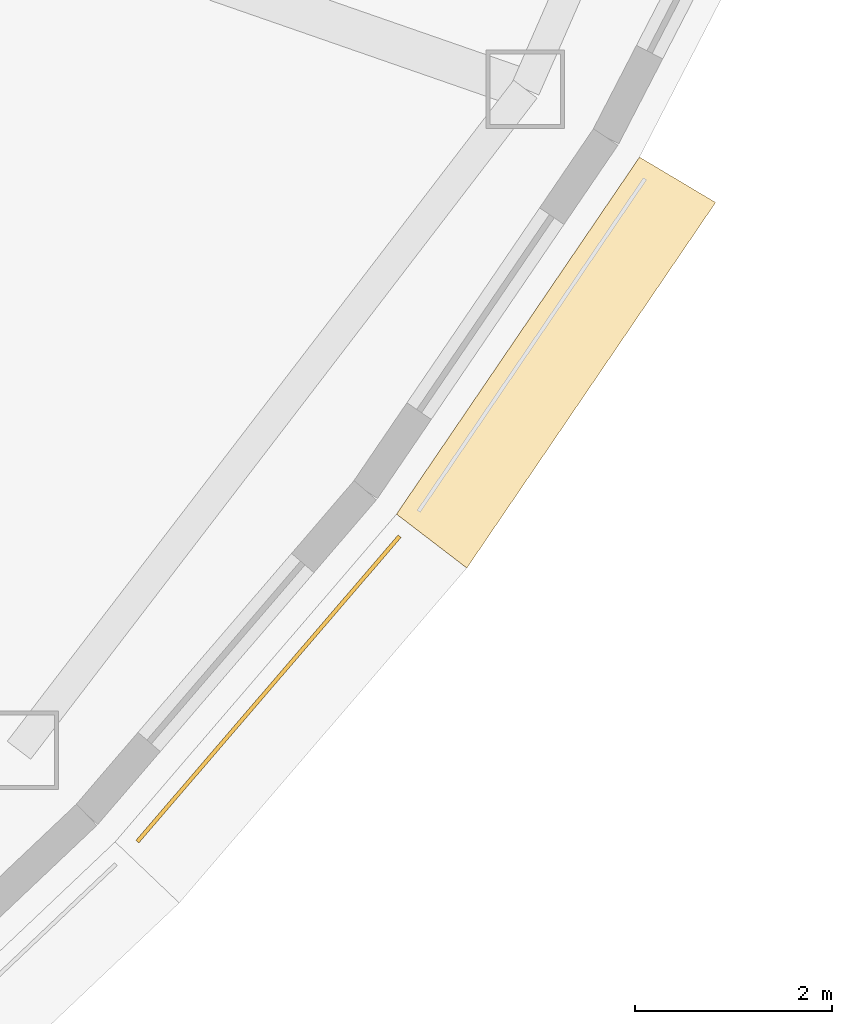
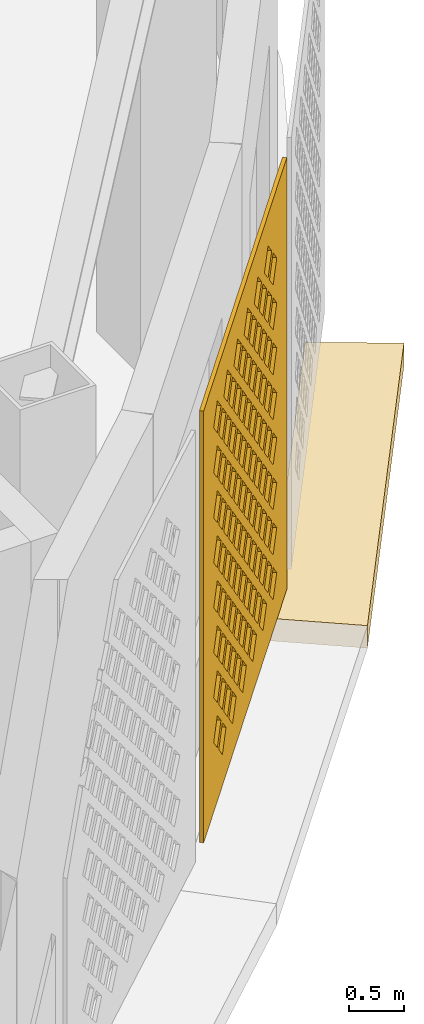
# One storey, part 66 of 69: 2 coverings.
"""IFC4 building model written with IfcOpenShell, lengths in metres."""

from ifc_helpers import new_model, si_unit, direction, frame, origin, place, context, subcontext, project, spatial, polyline, outline, extrude, material, layer, layer_set, type_object, element, save


model = new_model("IFC4")

# Units and contexts
model_context = context("Model", 3, precision=1e-05, world=origin(), true_north=direction((0.0, 1.0)))
body_context = subcontext(model_context, "Body", "Model", "MODEL_VIEW")
ifc_project = project(units=[si_unit("LENGTHUNIT", "METRE"), si_unit("AREAUNIT", "SQUARE_METRE"), si_unit("VOLUMEUNIT", "CUBIC_METRE"), si_unit("PLANEANGLEUNIT", "RADIAN"), si_unit("MASSUNIT", "GRAM", prefix="KILO")], contexts=[model_context])

# Site, building, storey
site_placement = place(None, origin())
site = spatial("IfcSite", under=ifc_project, at=site_placement, CompositionType="ELEMENT")
building_placement = place(site_placement, origin())
building = spatial("IfcBuilding", under=site, at=building_placement, Name="Noorbagh Ring Tower", CompositionType="ELEMENT")
storey_placement = place(building_placement, frame((0.0, 0.0, 19.5)))
storey = spatial("IfcBuildingStorey", under=building, at=storey_placement, Name="L03", CompositionType="ELEMENT", Elevation=19.5)

# Coverings
ifc_material_1 = material(Name="Red sandstone eave", Category="masonry")
covering_type_1 = type_object("IfcCoveringType", Name="STY-CHHAJJA", PredefinedType="USERDEFINED", material=ifc_material_1)
covering_1_placement = place(storey_placement, frame((0.0, 0.0, -0.25)))
element("IfcCovering", 1, at=covering_1_placement, inside=storey, type_object=covering_type_1, Name="Chhajja eave", ObjectType="CHHAJJA", PredefinedType="USERDEFINED", context=body_context, shape_type="SweptSolid", body=[
    extrude(outline(polyline([(44.77001953125, -20.346923828125), (47.2431640625, -16.71337890625), (48.017578125, -17.175048828125), (45.485595703125, -20.89501953125), (44.77001953125, -20.346923828125)])), origin(), (0.0, 0.0, 1.0), 0.25),
])
ifc_material_2 = material(Name="Red sandstone jali", Category="masonry")
ifc_layer = layer(ifc_material_2, 0.0400390625)
ifc_layer_set = layer_set([ifc_layer], Name="Red sandstone jali")
covering_type_2 = type_object("IfcCoveringType", Name="STY-JALI", PredefinedType="USERDEFINED", material=ifc_layer_set)
covering_2_placement = place(storey_placement, frame((42.1484375, -23.692138671875, 0.449951171875), z_axis=(0.758717747284, -0.651419511495, 0.0), x_axis=(0.651419511495, 0.758717747284, 0.0)))
element("IfcCovering", 2, at=covering_2_placement, inside=storey, type_object=covering_type_2, Name="Jali screen", ObjectType="SCREEN", PredefinedType="USERDEFINED", context=body_context, shape_type="SweptSolid", body=[
    extrude(outline(polyline([(0.0, 0.0), (4.095703125, 0.0), (4.095703125, 4.800048828125), (0.0, 4.800048828125), (0.0, 0.0)]), holes=[polyline([(0.742919921875, 0.52490234375), (0.9228515625, 0.344970703125), (1.102783203125, 0.52490234375), (0.9228515625, 0.705078125), (0.742919921875, 0.52490234375)]), polyline([(1.242919921875, 0.52490234375), (1.4228515625, 0.344970703125), (1.602783203125, 0.52490234375), (1.4228515625, 0.705078125), (1.242919921875, 0.52490234375)]), polyline([(1.742919921875, 0.52490234375), (1.9228515625, 0.344970703125), (2.102783203125, 0.52490234375), (1.9228515625, 0.705078125), (1.742919921875, 0.52490234375)]), polyline([(2.242919921875, 0.52490234375), (2.4228515625, 0.344970703125), (2.602783203125, 0.52490234375), (2.4228515625, 0.705078125), (2.242919921875, 0.52490234375)]), polyline([(2.742919921875, 0.52490234375), (2.9228515625, 0.344970703125), (3.102783203125, 0.52490234375), (2.9228515625, 0.705078125), (2.742919921875, 0.52490234375)]), polyline([(3.242919921875, 0.52490234375), (3.4228515625, 0.344970703125), (3.602783203125, 0.52490234375), (3.4228515625, 0.705078125), (3.242919921875, 0.52490234375)]), polyline([(0.492919921875, 0.77490234375), (0.6728515625, 0.594970703125), (0.852783203125, 0.77490234375), (0.6728515625, 0.955078125), (0.492919921875, 0.77490234375)]), polyline([(0.992919921875, 0.77490234375), (1.1728515625, 0.594970703125), (1.352783203125, 0.77490234375), (1.1728515625, 0.955078125), (0.992919921875, 0.77490234375)]), polyline([(1.492919921875, 0.77490234375), (1.6728515625, 0.594970703125), (1.852783203125, 0.77490234375), (1.6728515625, 0.955078125), (1.492919921875, 0.77490234375)]), polyline([(1.992919921875, 0.77490234375), (2.1728515625, 0.594970703125), (2.352783203125, 0.77490234375), (2.1728515625, 0.955078125), (1.992919921875, 0.77490234375)]), polyline([(2.492919921875, 0.77490234375), (2.6728515625, 0.594970703125), (2.852783203125, 0.77490234375), (2.6728515625, 0.955078125), (2.492919921875, 0.77490234375)]), polyline([(2.992919921875, 0.77490234375), (3.1728515625, 0.594970703125), (3.352783203125, 0.77490234375), (3.1728515625, 0.955078125), (2.992919921875, 0.77490234375)]), polyline([(0.742919921875, 1.02490234375), (0.9228515625, 0.844970703125), (1.102783203125, 1.02490234375), (0.9228515625, 1.205078125), (0.742919921875, 1.02490234375)]), polyline([(1.242919921875, 1.02490234375), (1.4228515625, 0.844970703125), (1.602783203125, 1.02490234375), (1.4228515625, 1.205078125), (1.242919921875, 1.02490234375)]), polyline([(1.742919921875, 1.02490234375), (1.9228515625, 0.844970703125), (2.102783203125, 1.02490234375), (1.9228515625, 1.205078125), (1.742919921875, 1.02490234375)]), polyline([(2.242919921875, 1.02490234375), (2.4228515625, 0.844970703125), (2.602783203125, 1.02490234375), (2.4228515625, 1.205078125), (2.242919921875, 1.02490234375)]), polyline([(2.742919921875, 1.02490234375), (2.9228515625, 0.844970703125), (3.102783203125, 1.02490234375), (2.9228515625, 1.205078125), (2.742919921875, 1.02490234375)]), polyline([(3.242919921875, 1.02490234375), (3.4228515625, 0.844970703125), (3.602783203125, 1.02490234375), (3.4228515625, 1.205078125), (3.242919921875, 1.02490234375)]), polyline([(0.492919921875, 1.27490234375), (0.6728515625, 1.094970703125), (0.852783203125, 1.27490234375), (0.6728515625, 1.455078125), (0.492919921875, 1.27490234375)]), polyline([(0.992919921875, 1.27490234375), (1.1728515625, 1.094970703125), (1.352783203125, 1.27490234375), (1.1728515625, 1.455078125), (0.992919921875, 1.27490234375)]), polyline([(1.492919921875, 1.27490234375), (1.6728515625, 1.094970703125), (1.852783203125, 1.27490234375), (1.6728515625, 1.455078125), (1.492919921875, 1.27490234375)]), polyline([(1.992919921875, 1.27490234375), (2.1728515625, 1.094970703125), (2.352783203125, 1.27490234375), (2.1728515625, 1.455078125), (1.992919921875, 1.27490234375)]), polyline([(2.492919921875, 1.27490234375), (2.6728515625, 1.094970703125), (2.852783203125, 1.27490234375), (2.6728515625, 1.455078125), (2.492919921875, 1.27490234375)]), polyline([(2.992919921875, 1.27490234375), (3.1728515625, 1.094970703125), (3.352783203125, 1.27490234375), (3.1728515625, 1.455078125), (2.992919921875, 1.27490234375)]), polyline([(0.742919921875, 1.52490234375), (0.9228515625, 1.344970703125), (1.102783203125, 1.52490234375), (0.9228515625, 1.705078125), (0.742919921875, 1.52490234375)]), polyline([(1.242919921875, 1.52490234375), (1.4228515625, 1.344970703125), (1.602783203125, 1.52490234375), (1.4228515625, 1.705078125), (1.242919921875, 1.52490234375)]), polyline([(1.742919921875, 1.52490234375), (1.9228515625, 1.344970703125), (2.102783203125, 1.52490234375), (1.9228515625, 1.705078125), (1.742919921875, 1.52490234375)]), polyline([(2.242919921875, 1.52490234375), (2.4228515625, 1.344970703125), (2.602783203125, 1.52490234375), (2.4228515625, 1.705078125), (2.242919921875, 1.52490234375)]), polyline([(2.742919921875, 1.52490234375), (2.9228515625, 1.344970703125), (3.102783203125, 1.52490234375), (2.9228515625, 1.705078125), (2.742919921875, 1.52490234375)]), polyline([(3.242919921875, 1.52490234375), (3.4228515625, 1.344970703125), (3.602783203125, 1.52490234375), (3.4228515625, 1.705078125), (3.242919921875, 1.52490234375)]), polyline([(0.492919921875, 1.77490234375), (0.6728515625, 1.594970703125), (0.852783203125, 1.77490234375), (0.6728515625, 1.955078125), (0.492919921875, 1.77490234375)]), polyline([(0.992919921875, 1.77490234375), (1.1728515625, 1.594970703125), (1.352783203125, 1.77490234375), (1.1728515625, 1.955078125), (0.992919921875, 1.77490234375)]), polyline([(1.492919921875, 1.77490234375), (1.6728515625, 1.594970703125), (1.852783203125, 1.77490234375), (1.6728515625, 1.955078125), (1.492919921875, 1.77490234375)]), polyline([(1.992919921875, 1.77490234375), (2.1728515625, 1.594970703125), (2.352783203125, 1.77490234375), (2.1728515625, 1.955078125), (1.992919921875, 1.77490234375)]), polyline([(2.492919921875, 1.77490234375), (2.6728515625, 1.594970703125), (2.852783203125, 1.77490234375), (2.6728515625, 1.955078125), (2.492919921875, 1.77490234375)]), polyline([(2.992919921875, 1.77490234375), (3.1728515625, 1.594970703125), (3.352783203125, 1.77490234375), (3.1728515625, 1.955078125), (2.992919921875, 1.77490234375)]), polyline([(0.742919921875, 2.02490234375), (0.9228515625, 1.844970703125), (1.102783203125, 2.02490234375), (0.9228515625, 2.205078125), (0.742919921875, 2.02490234375)]), polyline([(1.242919921875, 2.02490234375), (1.4228515625, 1.844970703125), (1.602783203125, 2.02490234375), (1.4228515625, 2.205078125), (1.242919921875, 2.02490234375)]), polyline([(1.742919921875, 2.02490234375), (1.9228515625, 1.844970703125), (2.102783203125, 2.02490234375), (1.9228515625, 2.205078125), (1.742919921875, 2.02490234375)]), polyline([(2.242919921875, 2.02490234375), (2.4228515625, 1.844970703125), (2.602783203125, 2.02490234375), (2.4228515625, 2.205078125), (2.242919921875, 2.02490234375)]), polyline([(2.742919921875, 2.02490234375), (2.9228515625, 1.844970703125), (3.102783203125, 2.02490234375), (2.9228515625, 2.205078125), (2.742919921875, 2.02490234375)]), polyline([(3.242919921875, 2.02490234375), (3.4228515625, 1.844970703125), (3.602783203125, 2.02490234375), (3.4228515625, 2.205078125), (3.242919921875, 2.02490234375)]), polyline([(0.492919921875, 2.27490234375), (0.6728515625, 2.094970703125), (0.852783203125, 2.27490234375), (0.6728515625, 2.455078125), (0.492919921875, 2.27490234375)]), polyline([(0.992919921875, 2.27490234375), (1.1728515625, 2.094970703125), (1.352783203125, 2.27490234375), (1.1728515625, 2.455078125), (0.992919921875, 2.27490234375)]), polyline([(1.492919921875, 2.27490234375), (1.6728515625, 2.094970703125), (1.852783203125, 2.27490234375), (1.6728515625, 2.455078125), (1.492919921875, 2.27490234375)]), polyline([(1.992919921875, 2.27490234375), (2.1728515625, 2.094970703125), (2.352783203125, 2.27490234375), (2.1728515625, 2.455078125), (1.992919921875, 2.27490234375)]), polyline([(2.492919921875, 2.27490234375), (2.6728515625, 2.094970703125), (2.852783203125, 2.27490234375), (2.6728515625, 2.455078125), (2.492919921875, 2.27490234375)]), polyline([(2.992919921875, 2.27490234375), (3.1728515625, 2.094970703125), (3.352783203125, 2.27490234375), (3.1728515625, 2.455078125), (2.992919921875, 2.27490234375)]), polyline([(0.742919921875, 2.52490234375), (0.9228515625, 2.344970703125), (1.102783203125, 2.52490234375), (0.9228515625, 2.705078125), (0.742919921875, 2.52490234375)]), polyline([(1.242919921875, 2.52490234375), (1.4228515625, 2.344970703125), (1.602783203125, 2.52490234375), (1.4228515625, 2.705078125), (1.242919921875, 2.52490234375)]), polyline([(1.742919921875, 2.52490234375), (1.9228515625, 2.344970703125), (2.102783203125, 2.52490234375), (1.9228515625, 2.705078125), (1.742919921875, 2.52490234375)]), polyline([(2.242919921875, 2.52490234375), (2.4228515625, 2.344970703125), (2.602783203125, 2.52490234375), (2.4228515625, 2.705078125), (2.242919921875, 2.52490234375)]), polyline([(2.742919921875, 2.52490234375), (2.9228515625, 2.344970703125), (3.102783203125, 2.52490234375), (2.9228515625, 2.705078125), (2.742919921875, 2.52490234375)]), polyline([(3.242919921875, 2.52490234375), (3.4228515625, 2.344970703125), (3.602783203125, 2.52490234375), (3.4228515625, 2.705078125), (3.242919921875, 2.52490234375)]), polyline([(0.492919921875, 2.77490234375), (0.6728515625, 2.594970703125), (0.852783203125, 2.77490234375), (0.6728515625, 2.955078125), (0.492919921875, 2.77490234375)]), polyline([(0.992919921875, 2.77490234375), (1.1728515625, 2.594970703125), (1.352783203125, 2.77490234375), (1.1728515625, 2.955078125), (0.992919921875, 2.77490234375)]), polyline([(1.492919921875, 2.77490234375), (1.6728515625, 2.594970703125), (1.852783203125, 2.77490234375), (1.6728515625, 2.955078125), (1.492919921875, 2.77490234375)]), polyline([(1.992919921875, 2.77490234375), (2.1728515625, 2.594970703125), (2.352783203125, 2.77490234375), (2.1728515625, 2.955078125), (1.992919921875, 2.77490234375)]), polyline([(2.492919921875, 2.77490234375), (2.6728515625, 2.594970703125), (2.852783203125, 2.77490234375), (2.6728515625, 2.955078125), (2.492919921875, 2.77490234375)]), polyline([(2.992919921875, 2.77490234375), (3.1728515625, 2.594970703125), (3.352783203125, 2.77490234375), (3.1728515625, 2.955078125), (2.992919921875, 2.77490234375)]), polyline([(0.742919921875, 3.02490234375), (0.9228515625, 2.844970703125), (1.102783203125, 3.02490234375), (0.9228515625, 3.205078125), (0.742919921875, 3.02490234375)]), polyline([(1.242919921875, 3.02490234375), (1.4228515625, 2.844970703125), (1.602783203125, 3.02490234375), (1.4228515625, 3.205078125), (1.242919921875, 3.02490234375)]), polyline([(1.742919921875, 3.02490234375), (1.9228515625, 2.844970703125), (2.102783203125, 3.02490234375), (1.9228515625, 3.205078125), (1.742919921875, 3.02490234375)]), polyline([(2.242919921875, 3.02490234375), (2.4228515625, 2.844970703125), (2.602783203125, 3.02490234375), (2.4228515625, 3.205078125), (2.242919921875, 3.02490234375)]), polyline([(2.742919921875, 3.02490234375), (2.9228515625, 2.844970703125), (3.102783203125, 3.02490234375), (2.9228515625, 3.205078125), (2.742919921875, 3.02490234375)]), polyline([(3.242919921875, 3.02490234375), (3.4228515625, 2.844970703125), (3.602783203125, 3.02490234375), (3.4228515625, 3.205078125), (3.242919921875, 3.02490234375)]), polyline([(0.492919921875, 3.27490234375), (0.6728515625, 3.094970703125), (0.852783203125, 3.27490234375), (0.6728515625, 3.455078125), (0.492919921875, 3.27490234375)]), polyline([(0.992919921875, 3.27490234375), (1.1728515625, 3.094970703125), (1.352783203125, 3.27490234375), (1.1728515625, 3.455078125), (0.992919921875, 3.27490234375)]), polyline([(1.492919921875, 3.27490234375), (1.6728515625, 3.094970703125), (1.852783203125, 3.27490234375), (1.6728515625, 3.455078125), (1.492919921875, 3.27490234375)]), polyline([(1.992919921875, 3.27490234375), (2.1728515625, 3.094970703125), (2.352783203125, 3.27490234375), (2.1728515625, 3.455078125), (1.992919921875, 3.27490234375)]), polyline([(2.492919921875, 3.27490234375), (2.6728515625, 3.094970703125), (2.852783203125, 3.27490234375), (2.6728515625, 3.455078125), (2.492919921875, 3.27490234375)]), polyline([(2.992919921875, 3.27490234375), (3.1728515625, 3.094970703125), (3.352783203125, 3.27490234375), (3.1728515625, 3.455078125), (2.992919921875, 3.27490234375)]), polyline([(0.742919921875, 3.52490234375), (0.9228515625, 3.344970703125), (1.102783203125, 3.52490234375), (0.9228515625, 3.705078125), (0.742919921875, 3.52490234375)]), polyline([(1.242919921875, 3.52490234375), (1.4228515625, 3.344970703125), (1.602783203125, 3.52490234375), (1.4228515625, 3.705078125), (1.242919921875, 3.52490234375)]), polyline([(1.742919921875, 3.52490234375), (1.9228515625, 3.344970703125), (2.102783203125, 3.52490234375), (1.9228515625, 3.705078125), (1.742919921875, 3.52490234375)]), polyline([(2.242919921875, 3.52490234375), (2.4228515625, 3.344970703125), (2.602783203125, 3.52490234375), (2.4228515625, 3.705078125), (2.242919921875, 3.52490234375)]), polyline([(2.742919921875, 3.52490234375), (2.9228515625, 3.344970703125), (3.102783203125, 3.52490234375), (2.9228515625, 3.705078125), (2.742919921875, 3.52490234375)]), polyline([(3.242919921875, 3.52490234375), (3.4228515625, 3.344970703125), (3.602783203125, 3.52490234375), (3.4228515625, 3.705078125), (3.242919921875, 3.52490234375)]), polyline([(0.492919921875, 3.77490234375), (0.6728515625, 3.594970703125), (0.852783203125, 3.77490234375), (0.6728515625, 3.955078125), (0.492919921875, 3.77490234375)]), polyline([(0.992919921875, 3.77490234375), (1.1728515625, 3.594970703125), (1.352783203125, 3.77490234375), (1.1728515625, 3.955078125), (0.992919921875, 3.77490234375)]), polyline([(1.492919921875, 3.77490234375), (1.6728515625, 3.594970703125), (1.852783203125, 3.77490234375), (1.6728515625, 3.955078125), (1.492919921875, 3.77490234375)]), polyline([(1.992919921875, 3.77490234375), (2.1728515625, 3.594970703125), (2.352783203125, 3.77490234375), (2.1728515625, 3.955078125), (1.992919921875, 3.77490234375)]), polyline([(2.492919921875, 3.77490234375), (2.6728515625, 3.594970703125), (2.852783203125, 3.77490234375), (2.6728515625, 3.955078125), (2.492919921875, 3.77490234375)]), polyline([(2.992919921875, 3.77490234375), (3.1728515625, 3.594970703125), (3.352783203125, 3.77490234375), (3.1728515625, 3.955078125), (2.992919921875, 3.77490234375)]), polyline([(0.742919921875, 4.02490234375), (0.9228515625, 3.844970703125), (1.102783203125, 4.02490234375), (0.9228515625, 4.205078125), (0.742919921875, 4.02490234375)]), polyline([(1.242919921875, 4.02490234375), (1.4228515625, 3.844970703125), (1.602783203125, 4.02490234375), (1.4228515625, 4.205078125), (1.242919921875, 4.02490234375)]), polyline([(1.742919921875, 4.02490234375), (1.9228515625, 3.844970703125), (2.102783203125, 4.02490234375), (1.9228515625, 4.205078125), (1.742919921875, 4.02490234375)]), polyline([(2.242919921875, 4.02490234375), (2.4228515625, 3.844970703125), (2.602783203125, 4.02490234375), (2.4228515625, 4.205078125), (2.242919921875, 4.02490234375)]), polyline([(2.742919921875, 4.02490234375), (2.9228515625, 3.844970703125), (3.102783203125, 4.02490234375), (2.9228515625, 4.205078125), (2.742919921875, 4.02490234375)]), polyline([(3.242919921875, 4.02490234375), (3.4228515625, 3.844970703125), (3.602783203125, 4.02490234375), (3.4228515625, 4.205078125), (3.242919921875, 4.02490234375)]), polyline([(0.492919921875, 4.27490234375), (0.6728515625, 4.094970703125), (0.852783203125, 4.27490234375), (0.6728515625, 4.455078125), (0.492919921875, 4.27490234375)]), polyline([(0.992919921875, 4.27490234375), (1.1728515625, 4.094970703125), (1.352783203125, 4.27490234375), (1.1728515625, 4.455078125), (0.992919921875, 4.27490234375)]), polyline([(1.492919921875, 4.27490234375), (1.6728515625, 4.094970703125), (1.852783203125, 4.27490234375), (1.6728515625, 4.455078125), (1.492919921875, 4.27490234375)]), polyline([(1.992919921875, 4.27490234375), (2.1728515625, 4.094970703125), (2.352783203125, 4.27490234375), (2.1728515625, 4.455078125), (1.992919921875, 4.27490234375)]), polyline([(2.492919921875, 4.27490234375), (2.6728515625, 4.094970703125), (2.852783203125, 4.27490234375), (2.6728515625, 4.455078125), (2.492919921875, 4.27490234375)]), polyline([(2.992919921875, 4.27490234375), (3.1728515625, 4.094970703125), (3.352783203125, 4.27490234375), (3.1728515625, 4.455078125), (2.992919921875, 4.27490234375)])]), origin(), (0.0, 0.0, -1.0), 0.0400390625),
])

save(model, "model.ifc")
